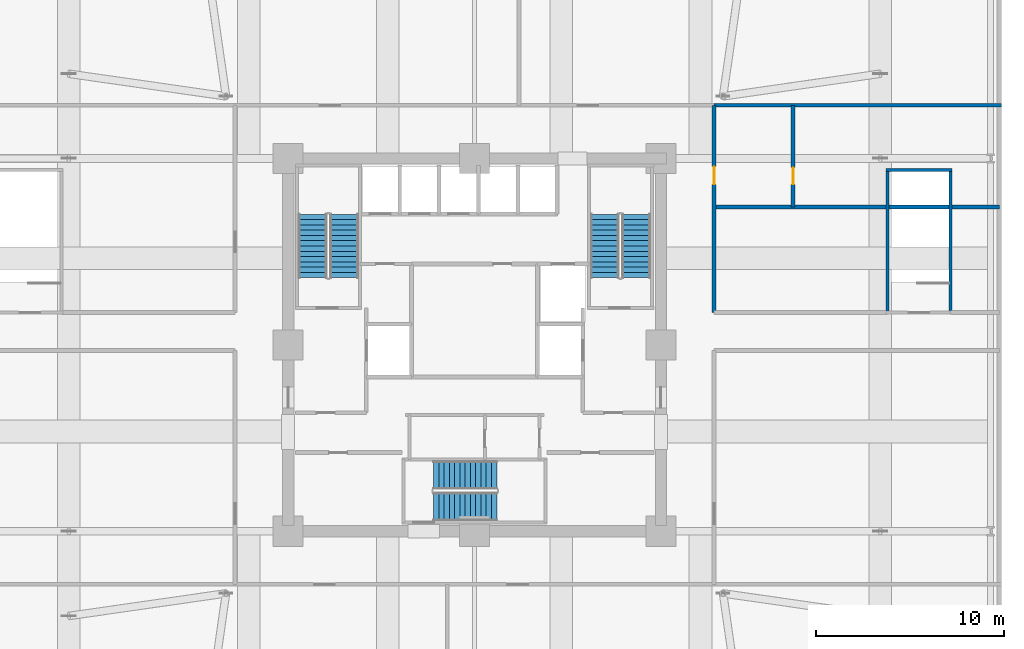
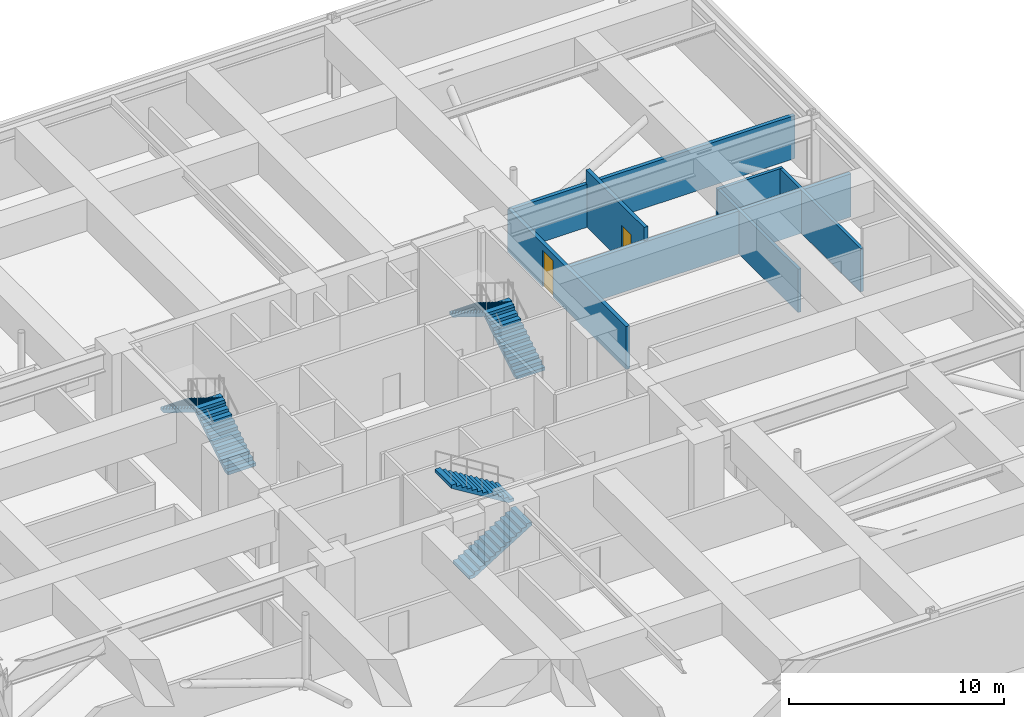
# One storey, part 14 of 16: 7 walls, 6 stair flights, 2 doors, 2 openings, 3 elements without a shape of their own.
"""IFC4 building model written with IfcOpenShell, lengths in metres."""

from ifc_helpers import new_model, si_unit, direction, frame, frame_2d, origin, place, context, subcontext, project, spatial, polyline, rectangle, outline, extrude, material, layer, layer_set, type_object, element, fill, aggregate, save


model = new_model("IFC4")

# Units and contexts
model_context = context("Model", 3, precision=1e-05, world=origin(), true_north=direction((0.0, 1.0)))
body_context = subcontext(model_context, "Body", "Model", "MODEL_VIEW")
ifc_project = project(units=[si_unit("LENGTHUNIT", "METRE"), si_unit("AREAUNIT", "SQUARE_METRE"), si_unit("VOLUMEUNIT", "CUBIC_METRE"), si_unit("PLANEANGLEUNIT", "RADIAN"), si_unit("MASSUNIT", "GRAM", prefix="KILO")], contexts=[model_context])

# Site, building, storey
site_placement = place(None, origin())
site = spatial("IfcSite", under=ifc_project, at=site_placement, CompositionType="ELEMENT")
building_placement = place(site_placement, origin())
building = spatial("IfcBuilding", under=site, at=building_placement, Name="Kolvaren Belvedere", CompositionType="ELEMENT")
storey_placement = place(building_placement, frame((0.0, 0.0, 19.300048828125)))
storey = spatial("IfcBuildingStorey", under=building, at=storey_placement, Name="L05", CompositionType="ELEMENT", Elevation=19.300048828125)

# Walls
ifc_material_1 = material(Name="Concrete C50/60", Category="concrete")
ifc_layer_1 = layer(ifc_material_1, 0.159912109375)
ifc_layer_set_1 = layer_set([ifc_layer_1], Name="Concrete C50/60")
wall_type_1 = type_object("IfcWallType", Name="CW-STAIR-160", PredefinedType="SHEAR", material=ifc_layer_set_1)
wall_1_placement = place(storey_placement, frame((21.85009765625, 9.280029296875, 0.0), z_axis=(0.0, 0.0, 1.0), x_axis=(1.0, 0.0, 0.0)))
element("IfcWall", 1, at=wall_1_placement, inside=storey, type_object=wall_type_1, Name="L05 Stair ST-P2 North Shear Wall", PredefinedType="SHEAR", context=body_context, shape_type="SweptSolid", body=[
    extrude(rectangle(XDim=3.510009765625, YDim=0.159912109375, at=frame_2d((1.7548828125, 0.0))), origin(), (0.0, 0.0, 1.0), 2.4599609375),
])
for number, where, z_axis, x_axis, name in (
    (2, (21.929931640625, 1.719970703125, 0.0), (0.0, 0.0, 1.0), (0.0, 1.0, 0.0), "L05 Stair ST-P2 West Shear Wall"),
    (3, (25.280029296875, 1.719970703125, 0.0), (0.0, 0.0, 1.0), (0.0, 1.0, 0.0), "L05 Stair ST-P2 East Shear Wall"),
):
    element("IfcWall", number, at=place(storey_placement, frame(where, z_axis=z_axis, x_axis=x_axis)), inside=storey, type_object=wall_type_1, Name=name, PredefinedType="SHEAR", context=body_context, shape_type="SweptSolid", body=[
        extrude(rectangle(XDim=7.56005859375, YDim=0.159912109375, at=frame_2d((3.780029296875, 0.0))), origin(), (0.0, 0.0, 1.0), 2.4599609375),
    ])

# Wall, opening, door
ifc_material_2 = material(Name="Concrete C50/60", Category="concrete")
ifc_layer_2 = layer(ifc_material_2, 0.199951171875)
ifc_layer_set_2 = layer_set([ifc_layer_2], Name="Concrete C50/60")
wall_type_2 = type_object("IfcWallType", Name="WL-SHAFT-200", PredefinedType="SOLIDWALL", material=ifc_layer_set_2)
wall_2_placement = place(storey_placement, frame((12.719970703125, 1.719970703125, 0.0), z_axis=(0.0, 0.0, 1.0), x_axis=(0.0, 1.0, 0.0)))
wall_2 = element("IfcWall", 4, at=wall_2_placement, inside=storey, type_object=wall_type_2, Name="L05 East Corridor Wall N", PredefinedType="SOLIDWALL", context=body_context, shape_type="SweptSolid", body=[
    extrude(rectangle(XDim=11.0, YDim=0.199951171875, at=frame_2d((5.5, 0.0))), origin(), (0.0, 0.0, 1.0), 2.445068359375),
])
opening_1_placement = place(wall_2_placement, frame((6.800048828125, 0.0, 0.0)))
opening_1 = element("IfcOpeningElement", 5, at=opening_1_placement, cuts=wall_2, Name="Opening D-INT95", PredefinedType="OPENING", context=body_context, shape_type="SweptSolid", body=[
    extrude(rectangle(XDim=0.949951171875, YDim=2.06005859375, at=frame_2d((0.47509765625, 1.030029296875))), frame((0.0, 0.10986328125, 0.0), z_axis=(0.0, -1.0, 0.0), x_axis=(1.0, 0.0, 0.0)), (0.0, 0.0, 1.0), 0.219970703125),
])
ifc_material_3 = material(Name="Stained Pacific white oak", Category="timber")
door_type_1 = type_object("IfcDoorType", Name="DR-INT-950", OperationType="NOTDEFINED", PredefinedType="DOOR", material=ifc_material_3)
door_1_placement = place(opening_1_placement, origin())
door_1 = element("IfcDoor", 6, at=door_1_placement, inside=storey, type_object=door_type_1, Name="L05 Staff Accessible Washroom Door", OperationType="SINGLE_SWING_LEFT", OverallHeight=2.06005859375, OverallWidth=0.949951171875, PredefinedType="DOOR", context=body_context, shape_type="SweptSolid", body=[
    extrude(rectangle(XDim=0.949951171875, YDim=2.06005859375, at=frame_2d((0.47509765625, 1.030029296875))), frame((0.0, 0.02490234375, 0.0), z_axis=(0.0, -1.0, 0.0), x_axis=(1.0, 0.0, 0.0)), (0.0, 0.0, 1.0), 0.050048828125),
])
fill(opening_1, door_1)

# Walls
wall_3_placement = place(storey_placement, frame((12.719970703125, 12.719970703125, 0.0), z_axis=(0.0, 0.0, 1.0), x_axis=(1.0, 0.0, 0.0)))
element("IfcWall", 7, at=wall_3_placement, inside=storey, type_object=wall_type_2, Name="L05 Sector Wall PW-L05-QNE", PredefinedType="SOLIDWALL", context=body_context, shape_type="SweptSolid", body=[
    extrude(rectangle(XDim=15.260009765625, YDim=0.199951171875, at=frame_2d((7.6298828125, 0.0))), origin(), (0.0, 0.0, 1.0), 2.445068359375),
])
wall_4_placement = place(storey_placement, frame((12.719970703125, 7.320068359375, 0.0), z_axis=(0.0, 0.0, 1.0), x_axis=(1.0, 0.0, 0.0)))
element("IfcWall", 8, at=wall_4_placement, inside=storey, type_object=wall_type_2, Name="L05 East Plant WC Wall", PredefinedType="SOLIDWALL", context=body_context, shape_type="SweptSolid", body=[
    extrude(rectangle(XDim=15.159912109375, YDim=0.199951171875, at=frame_2d((7.580078125, 0.0))), origin(), (0.0, 0.0, 1.0), 2.445068359375),
])

# Wall, opening, door
wall_5_placement = place(storey_placement, frame((16.919921875, 7.320068359375, 0.0), z_axis=(0.0, 0.0, 1.0), x_axis=(0.0, 1.0, 0.0)))
wall_5 = element("IfcWall", 9, at=wall_5_placement, inside=storey, type_object=wall_type_2, Name="L05 Staff WC Back Wall", PredefinedType="SOLIDWALL", context=body_context, shape_type="SweptSolid", body=[
    extrude(rectangle(XDim=5.39990234375, YDim=0.199951171875, at=frame_2d((2.699951171875, 0.0))), origin(), (0.0, 0.0, 1.0), 3.204833984375),
])
opening_2_placement = place(wall_5_placement, frame((1.199951171875, 0.0, 0.0)))
opening_2 = element("IfcOpeningElement", 10, at=opening_2_placement, cuts=wall_5, Name="Opening D-INT90", PredefinedType="OPENING", context=body_context, shape_type="SweptSolid", body=[
    extrude(rectangle(XDim=0.89990234375, YDim=2.06005859375, at=frame_2d((0.449951171875, 1.030029296875))), frame((0.0, 0.10986328125, 0.0), z_axis=(0.0, -1.0, 0.0), x_axis=(1.0, 0.0, 0.0)), (0.0, 0.0, 1.0), 0.219970703125),
])
ifc_material_4 = material(Name="Stained Pacific white oak", Category="timber")
door_type_2 = type_object("IfcDoorType", Name="DR-INT-900", OperationType="NOTDEFINED", PredefinedType="DOOR", material=ifc_material_4)
door_2_placement = place(opening_2_placement, origin())
door_2 = element("IfcDoor", 11, at=door_2_placement, inside=storey, type_object=door_type_2, Name="L05 Filter & Controls Mechanical Plant Door", OperationType="SINGLE_SWING_RIGHT", OverallHeight=2.06005859375, OverallWidth=0.89990234375, PredefinedType="DOOR", context=body_context, shape_type="SweptSolid", body=[
    extrude(rectangle(XDim=0.89990234375, YDim=2.06005859375, at=frame_2d((0.449951171875, 1.030029296875))), frame((0.0, 0.02490234375, 0.0), z_axis=(0.0, -1.0, 0.0), x_axis=(1.0, 0.0, 0.0)), (0.0, 0.0, 1.0), 0.050048828125),
])
fill(opening_2, door_2)

# Stair, stair flights
ifc_material_5 = material(Name="Concrete C50/60", Category="concrete")
stair_type = type_object("IfcStairType", Name="ST-CORE-1520", PredefinedType="HALF_TURN_STAIR", material=ifc_material_5)
stair_1_placement = place(storey_placement, origin())
stair_1 = element("IfcStair", 12, at=stair_1_placement, inside=storey, type_object=stair_type, Name="L05 Protected Exit Stair ST-1", PredefinedType="HALF_TURN_STAIR")
ifc_material_6 = material(Name="Concrete C50/60", Category="concrete")
stair_flight_type = type_object("IfcStairFlightType", Name="SF-STR-1520", PredefinedType="STRAIGHT", material=ifc_material_6)
stair_flight_1_placement = place(storey_placement, frame((-6.919921875, 3.570068359375, 0.0), z_axis=(0.0, 0.0, 1.0), x_axis=(0.0, 1.0, 0.0)))
stair_flight_1 = element("IfcStairFlight", 13, at=stair_flight_1_placement, type_object=stair_flight_type, Name="ST-1 flight 1", NumberOfRisers=13, NumberOfTreads=12, PredefinedType="STRAIGHT", RiserHeight=0.173076923, TreadLength=0.28, context=body_context, shape_type="SweptSolid", body=[
    extrude(outline(polyline([(0.0, 0.0), (0.0, 0.173095703125), (0.280029296875, 0.173095703125), (0.280029296875, 0.34619140625), (0.56005859375, 0.34619140625), (0.56005859375, 0.519287109375), (0.840087890625, 0.519287109375), (0.840087890625, 0.6923828125), (1.1201171875, 0.6923828125), (1.1201171875, 0.865478515625), (1.39990234375, 0.865478515625), (1.39990234375, 1.03857421875), (1.679931640625, 1.03857421875), (1.679931640625, 1.21142578125), (1.9599609375, 1.21142578125), (1.9599609375, 1.384521484375), (2.239990234375, 1.384521484375), (2.239990234375, 1.5576171875), (2.52001953125, 1.5576171875), (2.52001953125, 1.730712890625), (2.800048828125, 1.730712890625), (2.800048828125, 1.90380859375), (3.080078125, 1.90380859375), (3.080078125, 2.076904296875), (3.360107421875, 2.076904296875), (3.360107421875, 2.25), (3.360107421875, 1.900634765625), (0.28515625, 0.0), (0.0, 0.0)])), frame((0.0, 0.760009765625, 0.0), z_axis=(0.0, -1.0, 0.0), x_axis=(1.0, 0.0, 0.0)), (0.0, 0.0, 1.0), 1.52001953125),
])
stair_flight_2_placement = place(storey_placement, frame((-8.590087890625, 6.929931640625, 2.25), z_axis=(0.0, 0.0, 1.0), x_axis=(0.0, -1.0, 0.0)))
stair_flight_2 = element("IfcStairFlight", 14, at=stair_flight_2_placement, type_object=stair_flight_type, Name="ST-1 flight 2", NumberOfRisers=13, NumberOfTreads=12, PredefinedType="STRAIGHT", RiserHeight=0.173076923, TreadLength=0.28, context=body_context, shape_type="SweptSolid", body=[
    extrude(outline(polyline([(0.0, 0.0), (0.0, 0.173095703125), (0.280029296875, 0.173095703125), (0.280029296875, 0.34619140625), (0.56005859375, 0.34619140625), (0.56005859375, 0.519287109375), (0.840087890625, 0.519287109375), (0.840087890625, 0.6923828125), (1.1201171875, 0.6923828125), (1.1201171875, 0.865478515625), (1.39990234375, 0.865478515625), (1.39990234375, 1.03857421875), (1.679931640625, 1.03857421875), (1.679931640625, 1.21142578125), (1.9599609375, 1.21142578125), (1.9599609375, 1.384521484375), (2.239990234375, 1.384521484375), (2.239990234375, 1.5576171875), (2.52001953125, 1.5576171875), (2.52001953125, 1.730712890625), (2.800048828125, 1.730712890625), (2.800048828125, 1.90380859375), (3.080078125, 1.90380859375), (3.080078125, 2.076904296875), (3.360107421875, 2.076904296875), (3.360107421875, 2.25), (3.360107421875, 1.900634765625), (0.28515625, 0.0), (0.0, 0.0)])), frame((0.0, 0.760009765625, 0.0), z_axis=(0.0, -1.0, 0.0), x_axis=(1.0, 0.0, 0.0)), (0.0, 0.0, 1.0), 1.52001953125),
])
aggregate(stair_1, [stair_flight_1, stair_flight_2])

stair_2_placement = place(storey_placement, origin())
stair_2 = element("IfcStair", 15, at=stair_2_placement, inside=storey, type_object=stair_type, Name="L05 Protected Exit Stair ST-2", PredefinedType="HALF_TURN_STAIR")
stair_flight_3_placement = place(storey_placement, frame((8.590087890625, 3.570068359375, 0.0), z_axis=(0.0, 0.0, 1.0), x_axis=(0.0, 1.0, 0.0)))
stair_flight_3 = element("IfcStairFlight", 16, at=stair_flight_3_placement, type_object=stair_flight_type, Name="ST-2 flight 1", NumberOfRisers=13, NumberOfTreads=12, PredefinedType="STRAIGHT", RiserHeight=0.173076923, TreadLength=0.28, context=body_context, shape_type="SweptSolid", body=[
    extrude(outline(polyline([(0.0, 0.0), (0.0, 0.173095703125), (0.280029296875, 0.173095703125), (0.280029296875, 0.34619140625), (0.56005859375, 0.34619140625), (0.56005859375, 0.519287109375), (0.840087890625, 0.519287109375), (0.840087890625, 0.6923828125), (1.1201171875, 0.6923828125), (1.1201171875, 0.865478515625), (1.39990234375, 0.865478515625), (1.39990234375, 1.03857421875), (1.679931640625, 1.03857421875), (1.679931640625, 1.21142578125), (1.9599609375, 1.21142578125), (1.9599609375, 1.384521484375), (2.239990234375, 1.384521484375), (2.239990234375, 1.5576171875), (2.52001953125, 1.5576171875), (2.52001953125, 1.730712890625), (2.800048828125, 1.730712890625), (2.800048828125, 1.90380859375), (3.080078125, 1.90380859375), (3.080078125, 2.076904296875), (3.360107421875, 2.076904296875), (3.360107421875, 2.25), (3.360107421875, 1.900634765625), (0.28515625, 0.0), (0.0, 0.0)])), frame((0.0, 0.760009765625, 0.0), z_axis=(0.0, -1.0, 0.0), x_axis=(1.0, 0.0, 0.0)), (0.0, 0.0, 1.0), 1.52001953125),
])
stair_flight_4_placement = place(storey_placement, frame((6.919921875, 6.929931640625, 2.25), z_axis=(0.0, 0.0, 1.0), x_axis=(0.0, -1.0, 0.0)))
stair_flight_4 = element("IfcStairFlight", 17, at=stair_flight_4_placement, type_object=stair_flight_type, Name="ST-2 flight 2", NumberOfRisers=13, NumberOfTreads=12, PredefinedType="STRAIGHT", RiserHeight=0.173076923, TreadLength=0.28, context=body_context, shape_type="SweptSolid", body=[
    extrude(outline(polyline([(0.0, 0.0), (0.0, 0.173095703125), (0.280029296875, 0.173095703125), (0.280029296875, 0.34619140625), (0.56005859375, 0.34619140625), (0.56005859375, 0.519287109375), (0.840087890625, 0.519287109375), (0.840087890625, 0.6923828125), (1.1201171875, 0.6923828125), (1.1201171875, 0.865478515625), (1.39990234375, 0.865478515625), (1.39990234375, 1.03857421875), (1.679931640625, 1.03857421875), (1.679931640625, 1.21142578125), (1.9599609375, 1.21142578125), (1.9599609375, 1.384521484375), (2.239990234375, 1.384521484375), (2.239990234375, 1.5576171875), (2.52001953125, 1.5576171875), (2.52001953125, 1.730712890625), (2.800048828125, 1.730712890625), (2.800048828125, 1.90380859375), (3.080078125, 1.90380859375), (3.080078125, 2.076904296875), (3.360107421875, 2.076904296875), (3.360107421875, 2.25), (3.360107421875, 1.900634765625), (0.28515625, 0.0), (0.0, 0.0)])), frame((0.0, 0.760009765625, 0.0), z_axis=(0.0, -1.0, 0.0), x_axis=(1.0, 0.0, 0.0)), (0.0, 0.0, 1.0), 1.52001953125),
])
aggregate(stair_2, [stair_flight_3, stair_flight_4])

stair_3_placement = place(storey_placement, origin())
stair_3 = element("IfcStair", 18, at=stair_3_placement, inside=storey, type_object=stair_type, Name="L05 Protected Exit Stair ST-3", PredefinedType="HALF_TURN_STAIR")
stair_flight_5_placement = place(storey_placement, frame((-2.179931640625, -8.590087890625, 0.0), z_axis=(0.0, 0.0, 1.0), x_axis=(1.0, 0.0, 0.0)))
stair_flight_5 = element("IfcStairFlight", 19, at=stair_flight_5_placement, type_object=stair_flight_type, Name="ST-3 flight 1", NumberOfRisers=13, NumberOfTreads=12, PredefinedType="STRAIGHT", RiserHeight=0.173076923, TreadLength=0.28, context=body_context, shape_type="SweptSolid", body=[
    extrude(outline(polyline([(0.0, 0.0), (0.0, 0.173095703125), (0.280029296875, 0.173095703125), (0.280029296875, 0.34619140625), (0.56005859375, 0.34619140625), (0.56005859375, 0.519287109375), (0.840087890625, 0.519287109375), (0.840087890625, 0.6923828125), (1.1201171875, 0.6923828125), (1.1201171875, 0.865478515625), (1.39990234375, 0.865478515625), (1.39990234375, 1.03857421875), (1.679931640625, 1.03857421875), (1.679931640625, 1.21142578125), (1.9599609375, 1.21142578125), (1.9599609375, 1.384521484375), (2.239990234375, 1.384521484375), (2.239990234375, 1.5576171875), (2.52001953125, 1.5576171875), (2.52001953125, 1.730712890625), (2.800048828125, 1.730712890625), (2.800048828125, 1.90380859375), (3.080078125, 1.90380859375), (3.080078125, 2.076904296875), (3.360107421875, 2.076904296875), (3.360107421875, 2.25), (3.360107421875, 1.900634765625), (0.28515625, 0.0), (0.0, 0.0)])), frame((0.0, 0.760009765625, 0.0), z_axis=(0.0, -1.0, 0.0), x_axis=(1.0, 0.0, 0.0)), (0.0, 0.0, 1.0), 1.52001953125),
])
stair_flight_6_placement = place(storey_placement, frame((1.179931640625, -6.919921875, 2.25), z_axis=(0.0, 0.0, 1.0), x_axis=(-1.0, 0.0, 0.0)))
stair_flight_6 = element("IfcStairFlight", 20, at=stair_flight_6_placement, type_object=stair_flight_type, Name="ST-3 flight 2", NumberOfRisers=13, NumberOfTreads=12, PredefinedType="STRAIGHT", RiserHeight=0.173076923, TreadLength=0.28, context=body_context, shape_type="SweptSolid", body=[
    extrude(outline(polyline([(0.0, 0.0), (0.0, 0.173095703125), (0.280029296875, 0.173095703125), (0.280029296875, 0.34619140625), (0.56005859375, 0.34619140625), (0.56005859375, 0.519287109375), (0.840087890625, 0.519287109375), (0.840087890625, 0.6923828125), (1.1201171875, 0.6923828125), (1.1201171875, 0.865478515625), (1.39990234375, 0.865478515625), (1.39990234375, 1.03857421875), (1.679931640625, 1.03857421875), (1.679931640625, 1.21142578125), (1.9599609375, 1.21142578125), (1.9599609375, 1.384521484375), (2.239990234375, 1.384521484375), (2.239990234375, 1.5576171875), (2.52001953125, 1.5576171875), (2.52001953125, 1.730712890625), (2.800048828125, 1.730712890625), (2.800048828125, 1.90380859375), (3.080078125, 1.90380859375), (3.080078125, 2.076904296875), (3.360107421875, 2.076904296875), (3.360107421875, 2.25), (3.360107421875, 1.900634765625), (0.28515625, 0.0), (0.0, 0.0)])), frame((0.0, 0.760009765625, 0.0), z_axis=(0.0, -1.0, 0.0), x_axis=(1.0, 0.0, 0.0)), (0.0, 0.0, 1.0), 1.52001953125),
])
aggregate(stair_3, [stair_flight_5, stair_flight_6])

save(model, "model.ifc")
